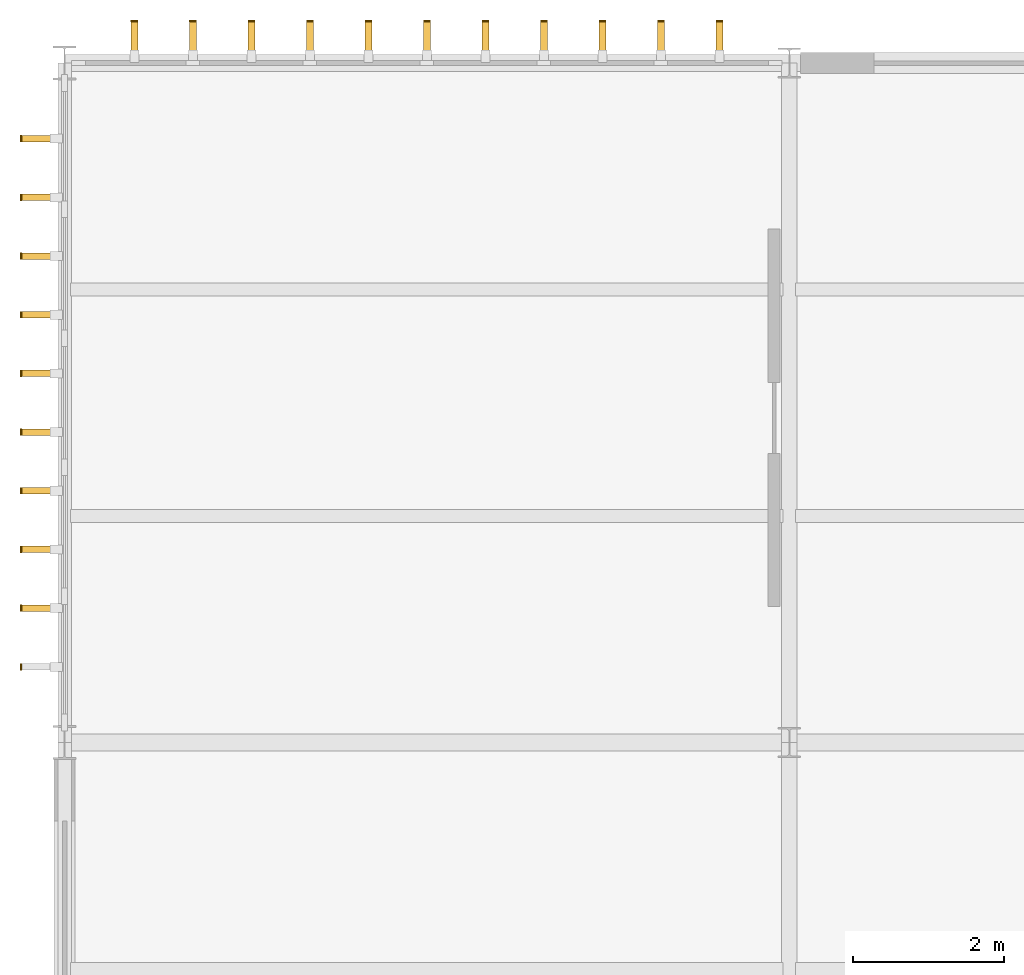
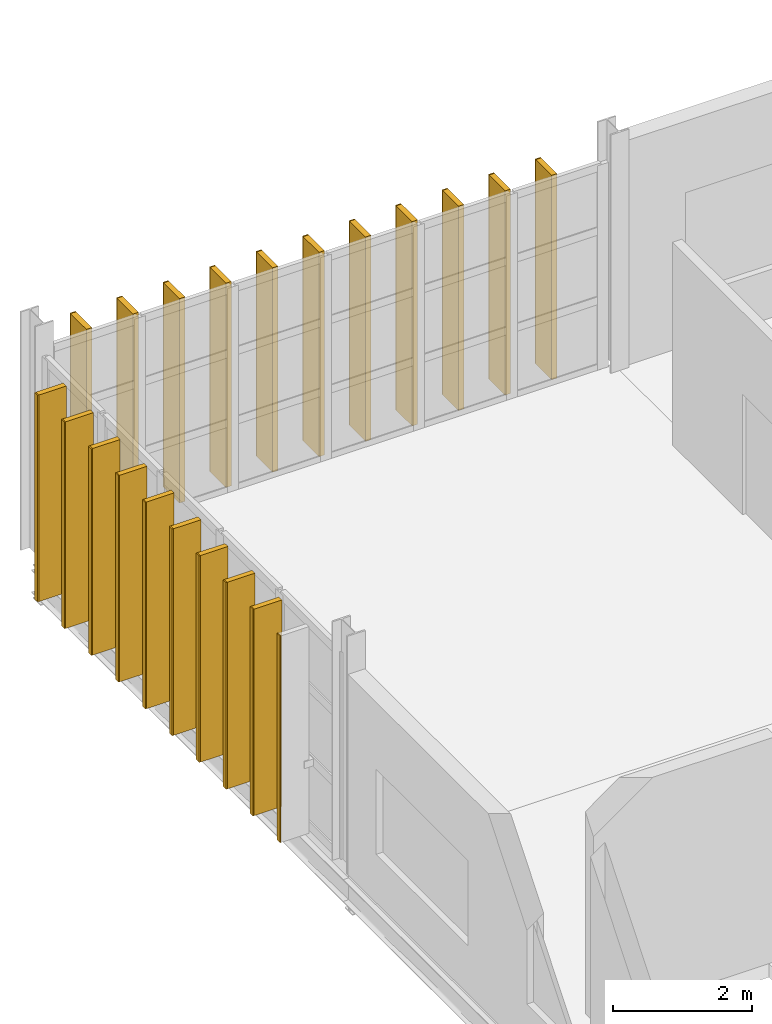
# One storey, part 38 of 38: 21 coverings, 20 shading devices.
"""IFC4 building model written with IfcOpenShell, lengths in metres."""

from ifc_helpers import new_model, si_unit, direction, frame, origin, origin_2d, place, context, subcontext, project, spatial, rectangle, extrude, material, layer, layer_set, type_object, element, save


model = new_model("IFC4")

# Units and contexts
model_context = context("Model", 3, precision=1e-05, world=origin(), true_north=direction((0.0, 1.0)))
body_context = subcontext(model_context, "Body", "Model", "MODEL_VIEW")
ifc_project = project(units=[si_unit("LENGTHUNIT", "METRE"), si_unit("AREAUNIT", "SQUARE_METRE"), si_unit("VOLUMEUNIT", "CUBIC_METRE"), si_unit("PLANEANGLEUNIT", "RADIAN"), si_unit("MASSUNIT", "GRAM", prefix="KILO")], contexts=[model_context])

# Site, building, storey
site_placement = place(None, origin())
site = spatial("IfcSite", under=ifc_project, at=site_placement, CompositionType="ELEMENT")
building_placement = place(site_placement, origin())
building = spatial("IfcBuilding", under=site, at=building_placement, Name="Zarnetskaya Central Station", CompositionType="ELEMENT")
storey_placement = place(building_placement, frame((0.0, 0.0, 18.60009765625)))
storey = spatial("IfcBuildingStorey", under=building, at=storey_placement, Name="L04", CompositionType="ELEMENT", Elevation=18.60009765625)

# Coverings
ifc_material_1 = material(Name="Treated larch timber", Category="wood")
ifc_layer = layer(ifc_material_1, 0.02001953125, Name="Treated larch timber", Category="wood")
ifc_layer_set = layer_set([ifc_layer], Name="Treated larch timber")
covering_type = type_object("IfcCoveringType", Name="COV-LARCH-CAP", PredefinedType="CLADDING", material=ifc_layer_set)
for number, where, z_axis, x_axis, name in (
    (1, (-0.580078125, 50.202392578125, 0.0), (0.0, 0.0, 1.0), (0.0, 1.0, 0.0), "Larch fin weather cap CW-L04-050-01"),
    (2, (-0.580078125, 50.9794921875, 0.0), (0.0, 0.0, 1.0), (0.0, 1.0, 0.0), "Larch fin weather cap CW-L04-050-02"),
    (3, (-0.580078125, 51.7568359375, 0.0), (0.0, 0.0, 1.0), (0.0, 1.0, 0.0), "Larch fin weather cap CW-L04-050-03"),
    (4, (-0.580078125, 52.5341796875, 0.0), (0.0, 0.0, 1.0), (0.0, 1.0, 0.0), "Larch fin weather cap CW-L04-050-04"),
    (5, (-0.580078125, 53.311279296875, 0.0), (0.0, 0.0, 1.0), (0.0, 1.0, 0.0), "Larch fin weather cap CW-L04-050-05"),
    (6, (-0.580078125, 54.088623046875, 0.0), (0.0, 0.0, 1.0), (0.0, 1.0, 0.0), "Larch fin weather cap CW-L04-050-06"),
    (7, (-0.580078125, 54.865966796875, 0.0), (0.0, 0.0, 1.0), (0.0, 1.0, 0.0), "Larch fin weather cap CW-L04-050-07"),
    (8, (-0.580078125, 55.64306640625, 0.0), (0.0, 0.0, 1.0), (0.0, 1.0, 0.0), "Larch fin weather cap CW-L04-050-08"),
    (9, (-0.580078125, 56.42041015625, 0.0), (0.0, 0.0, 1.0), (0.0, 1.0, 0.0), "Larch fin weather cap CW-L04-050-09"),
    (10, (-0.580078125, 57.19775390625, 0.0), (0.0, 0.0, 1.0), (0.0, 1.0, 0.0), "Larch fin weather cap CW-L04-050-10"),
):
    element("IfcCovering", number, at=place(storey_placement, frame(where, z_axis=z_axis, x_axis=x_axis)), inside=storey, type_object=covering_type, Name=name, PredefinedType="CLADDING", context=body_context, shape_type="SweptSolid", body=[
        extrude(rectangle(XDim=0.0849609375, YDim=0.02001953125, at=origin_2d()), origin(), (0.0, 0.0, 1.0), 3.639892578125),
    ])
for number, where, z_axis, x_axis, name in (
    (11, (0.925048828125, 58.760009765625, -0.000244140625), (0.0, 0.0, 1.0), (1.0, 0.0, 0.0), "Larch fin weather cap CW-L04-051-01"),
    (12, (1.699951171875, 58.760009765625, -0.000244140625), (0.0, 0.0, 1.0), (1.0, 0.0, 0.0), "Larch fin weather cap CW-L04-051-02"),
    (13, (2.47509765625, 58.760009765625, -0.000244140625), (0.0, 0.0, 1.0), (1.0, 0.0, 0.0), "Larch fin weather cap CW-L04-051-03"),
    (14, (3.25, 58.760009765625, -0.000244140625), (0.0, 0.0, 1.0), (1.0, 0.0, 0.0), "Larch fin weather cap CW-L04-051-04"),
    (15, (4.02490234375, 58.760009765625, -0.000244140625), (0.0, 0.0, 1.0), (1.0, 0.0, 0.0), "Larch fin weather cap CW-L04-051-05"),
    (16, (4.800048828125, 58.760009765625, -0.000244140625), (0.0, 0.0, 1.0), (1.0, 0.0, 0.0), "Larch fin weather cap CW-L04-051-06"),
    (17, (5.574951171875, 58.760009765625, -0.000244140625), (0.0, 0.0, 1.0), (1.0, 0.0, 0.0), "Larch fin weather cap CW-L04-051-07"),
    (18, (6.35009765625, 58.760009765625, -0.000244140625), (0.0, 0.0, 1.0), (1.0, 0.0, 0.0), "Larch fin weather cap CW-L04-051-08"),
    (19, (7.125, 58.760009765625, -0.000244140625), (0.0, 0.0, 1.0), (1.0, 0.0, 0.0), "Larch fin weather cap CW-L04-051-09"),
    (20, (7.89990234375, 58.760009765625, -0.000244140625), (0.0, 0.0, 1.0), (1.0, 0.0, 0.0), "Larch fin weather cap CW-L04-051-10"),
    (21, (8.675048828125, 58.760009765625, -0.000244140625), (0.0, 0.0, 1.0), (1.0, 0.0, 0.0), "Larch fin weather cap CW-L04-051-11"),
):
    element("IfcCovering", number, at=place(storey_placement, frame(where, z_axis=z_axis, x_axis=x_axis)), inside=storey, type_object=covering_type, Name=name, PredefinedType="CLADDING", context=body_context, shape_type="SweptSolid", body=[
        extrude(rectangle(XDim=0.090087890625, YDim=0.02001953125, at=origin_2d()), origin(), (0.0, 0.0, 1.0), 3.60009765625),
    ])

# Shading devices
ifc_material_2 = material(Name="Larch glulam GL28h", Category="wood")
shading_device_type_1 = type_object("IfcShadingDeviceType", Name="SHD-LARCH-FIN-A", PredefinedType="USERDEFINED", material=ifc_material_2)
for number, where, z_axis, x_axis, name in (
    (22, (0.925048828125, 58.52001953125, -0.000244140625), (0.0, 0.0, 1.0), (1.0, 0.0, 0.0), "Vertical larch timber fin CW-L04-051-01"),
    (23, (1.699951171875, 58.52001953125, -0.000244140625), (0.0, 0.0, 1.0), (1.0, 0.0, 0.0), "Vertical larch timber fin CW-L04-051-02"),
    (24, (2.47509765625, 58.52001953125, -0.000244140625), (0.0, 0.0, 1.0), (1.0, 0.0, 0.0), "Vertical larch timber fin CW-L04-051-03"),
    (25, (3.25, 58.52001953125, -0.000244140625), (0.0, 0.0, 1.0), (1.0, 0.0, 0.0), "Vertical larch timber fin CW-L04-051-04"),
    (26, (4.02490234375, 58.52001953125, -0.000244140625), (0.0, 0.0, 1.0), (1.0, 0.0, 0.0), "Vertical larch timber fin CW-L04-051-05"),
    (27, (4.800048828125, 58.52001953125, -0.000244140625), (0.0, 0.0, 1.0), (1.0, 0.0, 0.0), "Vertical larch timber fin CW-L04-051-06"),
    (28, (5.574951171875, 58.52001953125, -0.000244140625), (0.0, 0.0, 1.0), (1.0, 0.0, 0.0), "Vertical larch timber fin CW-L04-051-07"),
    (29, (6.35009765625, 58.52001953125, -0.000244140625), (0.0, 0.0, 1.0), (1.0, 0.0, 0.0), "Vertical larch timber fin CW-L04-051-08"),
    (30, (7.125, 58.52001953125, -0.000244140625), (0.0, 0.0, 1.0), (1.0, 0.0, 0.0), "Vertical larch timber fin CW-L04-051-09"),
    (31, (7.89990234375, 58.52001953125, -0.000244140625), (0.0, 0.0, 1.0), (1.0, 0.0, 0.0), "Vertical larch timber fin CW-L04-051-10"),
    (32, (8.675048828125, 58.52001953125, -0.000244140625), (0.0, 0.0, 1.0), (1.0, 0.0, 0.0), "Vertical larch timber fin CW-L04-051-11"),
):
    element("IfcShadingDevice", number, at=place(storey_placement, frame(where, z_axis=z_axis, x_axis=x_axis)), inside=storey, type_object=shading_device_type_1, Name=name, ObjectType="TIMBER FIN", PredefinedType="USERDEFINED", context=body_context, shape_type="SweptSolid", body=[
        extrude(rectangle(XDim=0.090087890625, YDim=0.4599609375, at=origin_2d()), origin(), (0.0, 0.0, 1.0), 3.60009765625),
    ])
shading_device_type_2 = type_object("IfcShadingDeviceType", Name="SHD-LARCH-FIN-B", PredefinedType="USERDEFINED", material=ifc_material_2)
for number, where, z_axis, x_axis, name in (
    (33, (-0.340087890625, 50.9794921875, 0.0), (0.0, 0.0, 1.0), (0.0, 1.0, 0.0), "Vertical larch timber fin CW-L04-050-02"),
    (34, (-0.340087890625, 51.7568359375, 0.0), (0.0, 0.0, 1.0), (0.0, 1.0, 0.0), "Vertical larch timber fin CW-L04-050-03"),
    (35, (-0.340087890625, 52.5341796875, 0.0), (0.0, 0.0, 1.0), (0.0, 1.0, 0.0), "Vertical larch timber fin CW-L04-050-04"),
    (36, (-0.340087890625, 53.311279296875, 0.0), (0.0, 0.0, 1.0), (0.0, 1.0, 0.0), "Vertical larch timber fin CW-L04-050-05"),
    (37, (-0.340087890625, 54.088623046875, 0.0), (0.0, 0.0, 1.0), (0.0, 1.0, 0.0), "Vertical larch timber fin CW-L04-050-06"),
    (38, (-0.340087890625, 54.865966796875, 0.0), (0.0, 0.0, 1.0), (0.0, 1.0, 0.0), "Vertical larch timber fin CW-L04-050-07"),
    (39, (-0.340087890625, 55.64306640625, 0.0), (0.0, 0.0, 1.0), (0.0, 1.0, 0.0), "Vertical larch timber fin CW-L04-050-08"),
    (40, (-0.340087890625, 56.42041015625, 0.0), (0.0, 0.0, 1.0), (0.0, 1.0, 0.0), "Vertical larch timber fin CW-L04-050-09"),
    (41, (-0.340087890625, 57.19775390625, 0.0), (0.0, 0.0, 1.0), (0.0, 1.0, 0.0), "Vertical larch timber fin CW-L04-050-10"),
):
    element("IfcShadingDevice", number, at=place(storey_placement, frame(where, z_axis=z_axis, x_axis=x_axis)), inside=storey, type_object=shading_device_type_2, Name=name, ObjectType="TIMBER FIN", PredefinedType="USERDEFINED", context=body_context, shape_type="SweptSolid", body=[
        extrude(rectangle(XDim=0.0849609375, YDim=0.4599609375, at=origin_2d()), origin(), (0.0, 0.0, 1.0), 3.639892578125),
    ])

save(model, "model.ifc")
